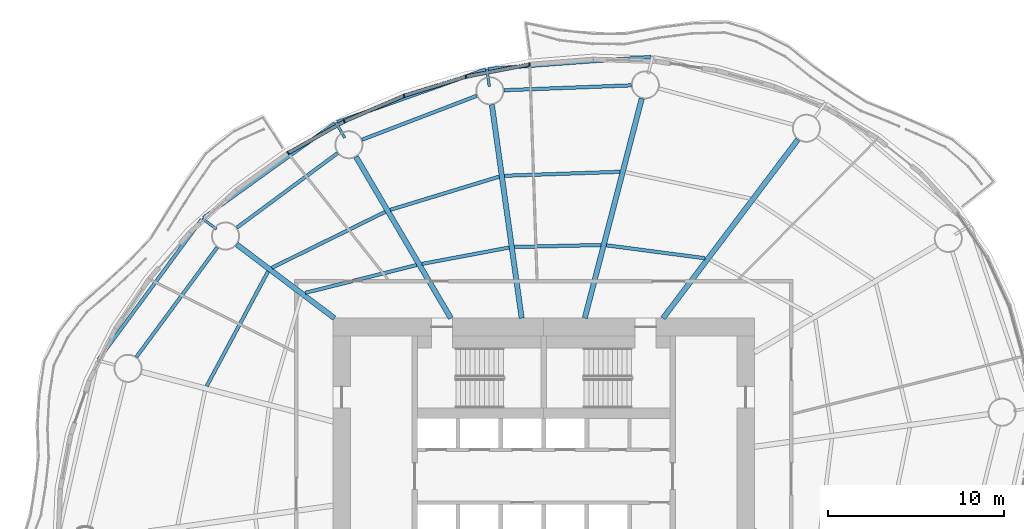
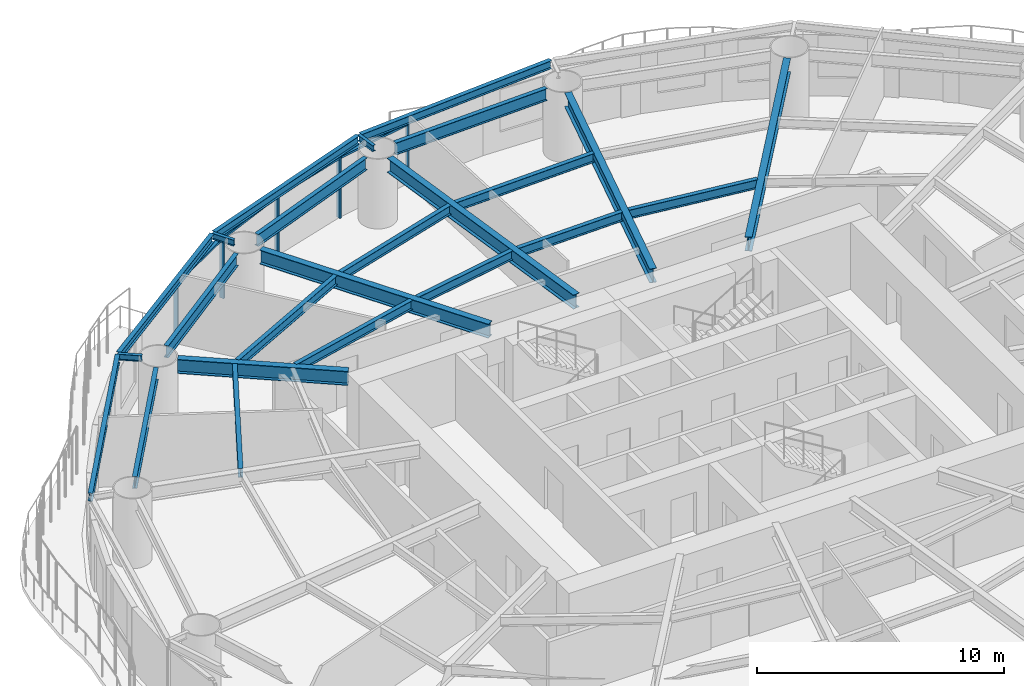
# One storey, part 5 of 16: 24 beams, 9 members, 4 elements without a shape of their own.
"""IFC4 building model written with IfcOpenShell, lengths in metres."""

from ifc_helpers import new_model, si_unit, direction, frame, origin, origin_2d, place, context, subcontext, project, spatial, rectangle, i_section, extrude, material, material_profile, profile_set, type_object, element, aggregate, save


model = new_model("IFC4")

# Units and contexts
model_context = context("Model", 3, precision=1e-05, world=origin(), true_north=direction((0.0, 1.0)))
body_context = subcontext(model_context, "Body", "Model", "MODEL_VIEW")
ifc_project = project(units=[si_unit("LENGTHUNIT", "METRE"), si_unit("AREAUNIT", "SQUARE_METRE"), si_unit("VOLUMEUNIT", "CUBIC_METRE"), si_unit("PLANEANGLEUNIT", "RADIAN"), si_unit("MASSUNIT", "GRAM", prefix="KILO")], contexts=[model_context])

# Site, building, storey
site_placement = place(None, origin())
site = spatial("IfcSite", under=ifc_project, at=site_placement, CompositionType="ELEMENT")
building_placement = place(site_placement, origin())
building = spatial("IfcBuilding", under=site, at=building_placement, Name="Vermilion Reach Broadcast Tower", CompositionType="ELEMENT")
storey_placement = place(building_placement, frame((0.0, 0.0, 113.800048828125)))
storey = spatial("IfcBuildingStorey", under=building, at=storey_placement, Name="L26", CompositionType="ELEMENT", Elevation=113.800048828125)

# Beams
ifc_material_1 = material(Name="Steel S355J2", Category="steel")
ifc_material_profile_1 = material_profile(ifc_material_1, i_section(OverallWidth=0.199951171875, OverallDepth=0.39990234375, WebThickness=0.008056640625, FlangeThickness=0.012939453125, at=origin_2d()), Name="S355J2 HN 400x200x8x13")
ifc_profile_set_1 = profile_set([ifc_material_profile_1], Name="Steel S355J2")
beam_type_1 = type_object("IfcBeamType", Name="EB2 HN 400x200x8x13", PredefinedType="BEAM", material=ifc_profile_set_1)
beam_1_placement = place(storey_placement, frame((0.12109375, 23.882080078125, 3.25), z_axis=(-0.997304691422, -0.073371332736, 0.0), x_axis=(0.073371332736, -0.997304691422, 0.0)))
element("IfcBeam", 1, at=beam_1_placement, inside=storey, type_object=beam_type_1, Name="Edge beam EB2-03", PredefinedType="BEAM", context=body_context, shape_type="SweptSolid", body=[
    extrude(i_section(OverallWidth=0.199951171875, OverallDepth=0.39990234375, WebThickness=0.008056640625, FlangeThickness=0.012939453125, at=origin_2d()), origin(), (0.0, 0.0, 1.0), 9.310302734375),
])
beam_2_placement = place(storey_placement, frame((-9.31103515625, 23.167724609375, 3.25), z_axis=(-0.942430511192, -0.334402050793, 0.0), x_axis=(0.334402050793, -0.942430511192, 0.0)))
element("IfcBeam", 2, at=beam_2_placement, inside=storey, type_object=beam_type_1, Name="Edge beam EB2-04", PredefinedType="BEAM", context=body_context, shape_type="SweptSolid", body=[
    extrude(i_section(OverallWidth=0.199951171875, OverallDepth=0.39990234375, WebThickness=0.008056640625, FlangeThickness=0.012939453125, at=origin_2d()), origin(), (0.0, 0.0, 1.0), 8.97412109375),
])
beam_3_placement = place(storey_placement, frame((-17.901611328125, 20.097412109375, 3.25), z_axis=(-0.81207308866, -0.583555737419, 0.0), x_axis=(0.583555737419, -0.81207308866, 0.0)))
element("IfcBeam", 3, at=beam_3_placement, inside=storey, type_object=beam_type_1, Name="Edge beam EB2-05", PredefinedType="BEAM", context=body_context, shape_type="SweptSolid", body=[
    extrude(i_section(OverallWidth=0.199951171875, OverallDepth=0.39990234375, WebThickness=0.008056640625, FlangeThickness=0.012939453125, at=origin_2d()), origin(), (0.0, 0.0, 1.0), 9.208251953125),
])
beam_4_placement = place(storey_placement, frame((-25.487548828125, 14.61767578125, 3.25), z_axis=(-0.593410406977, -0.804900049007, 0.0), x_axis=(0.804900049007, -0.593410406977, 0.0)))
element("IfcBeam", 4, at=beam_4_placement, inside=storey, type_object=beam_type_1, Name="Edge beam EB2-06", PredefinedType="BEAM", context=body_context, shape_type="SweptSolid", body=[
    extrude(i_section(OverallWidth=0.199951171875, OverallDepth=0.39990234375, WebThickness=0.008056640625, FlangeThickness=0.012939453125, at=origin_2d()), origin(), (0.0, 0.0, 1.0), 9.888427734375),
])
ifc_material_2 = material(Name="Steel S355J2", Category="steel")
ifc_material_profile_2 = material_profile(ifc_material_2, i_section(OverallWidth=0.300048828125, OverallDepth=0.699951171875, WebThickness=0.012939453125, FlangeThickness=0.02392578125, at=origin_2d()), Name="S355J2 HN 700x300x13x24")
ifc_profile_set_2 = profile_set([ifc_material_profile_2], Name="Steel S355J2")
beam_type_2 = type_object("IfcBeamType", Name="G2 HN 700x300x13x24", PredefinedType="BEAM", material=ifc_profile_set_2)
beam_5_placement = place(storey_placement, frame((0.794189453125, 9.0, 3.099853515625), z_axis=(0.602519842365, 0.798103902733, 0.0), x_axis=(-0.798103902733, 0.602519842365, 0.0)))
element("IfcBeam", 5, at=beam_5_placement, inside=storey, type_object=beam_type_2, Name="Girder G2-02", PredefinedType="BEAM", context=body_context, shape_type="SweptSolid", body=[
    extrude(i_section(OverallWidth=0.300048828125, OverallDepth=0.699951171875, WebThickness=0.012939453125, FlangeThickness=0.02392578125, at=origin_2d()), origin(), (0.0, 0.0, 1.0), 12.758544921875),
])
beam_6_placement = place(storey_placement, frame((-3.6640625, 9.0, 3.099853515625), z_axis=(0.25121695316, 0.967930804575, 0.0), x_axis=(-0.967930804575, 0.25121695316, 0.0)))
element("IfcBeam", 6, at=beam_6_placement, inside=storey, type_object=beam_type_2, Name="Girder G2-03", PredefinedType="BEAM", context=body_context, shape_type="SweptSolid", body=[
    extrude(i_section(OverallWidth=0.300048828125, OverallDepth=0.699951171875, WebThickness=0.012939453125, FlangeThickness=0.02392578125, at=origin_2d()), origin(), (0.0, 0.0, 1.0), 12.93505859375),
])
beam_7_placement = place(storey_placement, frame((-7.2568359375, 9.0, 3.099853515625), z_axis=(-0.138317561234, 0.990387930184, 0.0), x_axis=(-0.990387930184, -0.138317561234, 0.0)))
element("IfcBeam", 7, at=beam_7_placement, inside=storey, type_object=beam_type_2, Name="Girder G2-04", PredefinedType="BEAM", context=body_context, shape_type="SweptSolid", body=[
    extrude(i_section(OverallWidth=0.300048828125, OverallDepth=0.699951171875, WebThickness=0.012939453125, FlangeThickness=0.02392578125, at=origin_2d()), origin(), (0.0, 0.0, 1.0), 12.281494140625),
])
beam_8_placement = place(storey_placement, frame((-11.290771484375, 9.0, 3.099853515625), z_axis=(-0.506783943634, 0.862073102744, 0.0), x_axis=(-0.862073102744, -0.506783943634, 0.0)))
element("IfcBeam", 8, at=beam_8_placement, inside=storey, type_object=beam_type_2, Name="Girder G2-05", PredefinedType="BEAM", context=body_context, shape_type="SweptSolid", body=[
    extrude(i_section(OverallWidth=0.300048828125, OverallDepth=0.699951171875, WebThickness=0.012939453125, FlangeThickness=0.02392578125, at=origin_2d()), origin(), (0.0, 0.0, 1.0), 10.661865234375),
])
beam_9_placement = place(storey_placement, frame((-17.921630859375, 9.0, 3.099853515625), z_axis=(-0.798113534072, 0.602507084382, 0.0), x_axis=(-0.602507084382, -0.798113534072, 0.0)))
element("IfcBeam", 9, at=beam_9_placement, inside=storey, type_object=beam_type_2, Name="Girder G2-06", PredefinedType="BEAM", context=body_context, shape_type="SweptSolid", body=[
    extrude(i_section(OverallWidth=0.300048828125, OverallDepth=0.699951171875, WebThickness=0.012939453125, FlangeThickness=0.02392578125, at=origin_2d()), origin(), (0.0, 0.0, 1.0), 6.971923828125),
])
ifc_material_3 = material(Name="Steel S355J2", Category="steel")
ifc_material_profile_3 = material_profile(ifc_material_3, i_section(OverallWidth=0.14990234375, OverallDepth=0.300048828125, WebThickness=0.006591796875, FlangeThickness=0.009033203125, at=origin_2d()), Name="S355J2 HN 300x150x6.5x9")
ifc_profile_set_3 = profile_set([ifc_material_profile_3], Name="Steel S355J2")
beam_type_3 = type_object("IfcBeamType", Name="GS2 HN 300x150x6.5x9", PredefinedType="BEAM", material=ifc_profile_set_3)
for number, where, z_axis, x_axis, name in (
    (10, (-9.1005859375, 22.202880859375, 3.300048828125), (-0.138413206764, 0.990374567622, 0.0), (-0.990374567622, -0.138413206764, 0.0), "Cantilever stub GS2-04"),
    (11, (-17.333740234375, 19.279296875, 3.300048828125), (-0.506828068037, 0.862047161964, 0.0), (-0.862047161964, -0.506828068037, 0.0), "Cantilever stub GS2-05"),
    (12, (-24.64501953125, 14.075439453125, 3.300048828125), (-0.798091683473, 0.602536027779, 0.0), (-0.602536027779, -0.798091683473, 0.0), "Cantilever stub GS2-06"),
):
    element("IfcBeam", number, at=place(storey_placement, frame(where, z_axis=z_axis, x_axis=x_axis)), inside=storey, type_object=beam_type_3, Name=name, PredefinedType="BEAM", context=body_context, shape_type="SweptSolid", body=[
        extrude(i_section(OverallWidth=0.14990234375, OverallDepth=0.300048828125, WebThickness=0.006591796875, FlangeThickness=0.009033203125, at=origin_2d()), origin(), (0.0, 0.0, 1.0), 1.0),
    ])
ifc_material_4 = material(Name="Steel S355J2", Category="steel")
ifc_material_profile_4 = material_profile(ifc_material_4, i_section(OverallWidth=0.199951171875, OverallDepth=0.60009765625, WebThickness=0.010986328125, FlangeThickness=0.01708984375, at=origin_2d()), Name="S355J2 HN 600x200x11x17")
ifc_profile_set_4 = profile_set([ifc_material_profile_4], Name="Steel S355J2")
beam_type_4 = type_object("IfcBeamType", Name="RB2 HN 600x200x11x17", PredefinedType="BEAM", material=ifc_profile_set_4)
beam_10_placement = place(storey_placement, frame((-1.012939453125, 22.263916015625, 3.14990234375), z_axis=(-0.999268558327, -0.038240663418, 0.0), x_axis=(0.038240663418, -0.999268558327, 0.0)))
element("IfcBeam", 13, at=beam_10_placement, inside=storey, type_object=beam_type_4, Name="Ring beam RB2-03", PredefinedType="BEAM", context=body_context, shape_type="SweptSolid", body=[
    extrude(i_section(OverallWidth=0.199951171875, OverallDepth=0.60009765625, WebThickness=0.010986328125, FlangeThickness=0.01708984375, at=origin_2d()), origin(), (0.0, 0.0, 1.0), 7.259033203125),
])
beam_11_placement = place(storey_placement, frame((-9.813232421875, 21.669677734375, 3.14990234375), z_axis=(-0.933939237212, -0.357431813353, 0.0), x_axis=(0.357431813353, -0.933939237212, 0.0)))
element("IfcBeam", 14, at=beam_11_placement, inside=storey, type_object=beam_type_4, Name="Ring beam RB2-04", PredefinedType="BEAM", context=body_context, shape_type="SweptSolid", body=[
    extrude(i_section(OverallWidth=0.199951171875, OverallDepth=0.60009765625, WebThickness=0.010986328125, FlangeThickness=0.01708984375, at=origin_2d()), origin(), (0.0, 0.0, 1.0), 7.001953125),
])
beam_12_placement = place(storey_placement, frame((-17.74267578125, 18.4052734375, 3.14990234375), z_axis=(-0.803832742218, -0.594855379515, 0.0), x_axis=(0.594855379515, -0.803832742218, 0.0)))
element("IfcBeam", 15, at=beam_12_placement, inside=storey, type_object=beam_type_4, Name="Ring beam RB2-05", PredefinedType="BEAM", context=body_context, shape_type="SweptSolid", body=[
    extrude(i_section(OverallWidth=0.199951171875, OverallDepth=0.60009765625, WebThickness=0.010986328125, FlangeThickness=0.01708984375, at=origin_2d()), origin(), (0.0, 0.0, 1.0), 7.13916015625),
])
beam_13_placement = place(storey_placement, frame((-24.59912109375, 13.03857421875, 3.14990234375), z_axis=(-0.593250534798, -0.80501788984, 0.0), x_axis=(0.80501788984, -0.593250534798, 0.0)))
element("IfcBeam", 16, at=beam_13_placement, inside=storey, type_object=beam_type_4, Name="Ring beam RB2-06", PredefinedType="BEAM", context=body_context, shape_type="SweptSolid", body=[
    extrude(i_section(OverallWidth=0.199951171875, OverallDepth=0.60009765625, WebThickness=0.010986328125, FlangeThickness=0.01708984375, at=origin_2d()), origin(), (0.0, 0.0, 1.0), 7.76220703125),
])
ifc_material_5 = material(Name="Steel S355J2", Category="steel")
ifc_material_profile_5 = material_profile(ifc_material_5, i_section(OverallWidth=0.199951171875, OverallDepth=0.449951171875, WebThickness=0.009033203125, FlangeThickness=0.013916015625, at=origin_2d()), Name="S355J2 HN 450x200x9x14")
ifc_profile_set_5 = profile_set([ifc_material_profile_5], Name="Steel S355J2")
beam_type_5 = type_object("IfcBeamType", Name="SB2 HN 450x200x9x14", PredefinedType="BEAM", material=ifc_profile_set_5)
beam_14_placement = place(storey_placement, frame((3.185546875, 12.416748046875, 3.224853515625), z_axis=(-0.991498686864, 0.130116693573, 0.0), x_axis=(-0.130116693573, -0.991498686864, 0.0)))
element("IfcBeam", 17, at=beam_14_placement, inside=storey, type_object=beam_type_5, Name="Secondary beam SB2-02-1", PredefinedType="BEAM", context=body_context, shape_type="SweptSolid", body=[
    extrude(i_section(OverallWidth=0.199951171875, OverallDepth=0.449951171875, WebThickness=0.009033203125, FlangeThickness=0.013916015625, at=origin_2d()), origin(), (0.0, 0.0, 1.0), 5.66455078125),
])
beam_15_placement = place(storey_placement, frame((-2.73681640625, 13.169921875, 3.224853515625), z_axis=(-0.999742320425, -0.022700060602, 0.0), x_axis=(0.022700060602, -0.999742320425, 0.0)))
element("IfcBeam", 18, at=beam_15_placement, inside=storey, type_object=beam_type_5, Name="Secondary beam SB2-03-1", PredefinedType="BEAM", context=body_context, shape_type="SweptSolid", body=[
    extrude(i_section(OverallWidth=0.199951171875, OverallDepth=0.449951171875, WebThickness=0.009033203125, FlangeThickness=0.013916015625, at=origin_2d()), origin(), (0.0, 0.0, 1.0), 4.9365234375),
])
beam_16_placement = place(storey_placement, frame((-1.654052734375, 17.34130859375, 3.224853515625), z_axis=(-0.999404722387, -0.03449928797, 0.0), x_axis=(0.03449928797, -0.999404722387, 0.0)))
element("IfcBeam", 19, at=beam_16_placement, inside=storey, type_object=beam_type_5, Name="Secondary beam SB2-03-2", PredefinedType="BEAM", context=body_context, shape_type="SweptSolid", body=[
    extrude(i_section(OverallWidth=0.199951171875, OverallDepth=0.449951171875, WebThickness=0.009033203125, FlangeThickness=0.013916015625, at=origin_2d()), origin(), (0.0, 0.0, 1.0), 6.58837890625),
])
beam_17_placement = place(storey_placement, frame((-7.970703125, 13.026611328125, 3.224853515625), z_axis=(-0.982782890015, -0.184764149915, 0.0), x_axis=(0.184764149915, -0.982782890015, 0.0)))
element("IfcBeam", 20, at=beam_17_placement, inside=storey, type_object=beam_type_5, Name="Secondary beam SB2-04-1", PredefinedType="BEAM", context=body_context, shape_type="SweptSolid", body=[
    extrude(i_section(OverallWidth=0.199951171875, OverallDepth=0.449951171875, WebThickness=0.009033203125, FlangeThickness=0.013916015625, at=origin_2d()), origin(), (0.0, 0.0, 1.0), 5.051513671875),
])
beam_18_placement = place(storey_placement, frame((-8.53466796875, 17.064697265625, 3.224853515625), z_axis=(-0.956596430605, -0.291415972374, 0.0), x_axis=(0.291415972374, -0.956596430605, 0.0)))
element("IfcBeam", 21, at=beam_18_placement, inside=storey, type_object=beam_type_5, Name="Secondary beam SB2-04-2", PredefinedType="BEAM", context=body_context, shape_type="SweptSolid", body=[
    extrude(i_section(OverallWidth=0.199951171875, OverallDepth=0.449951171875, WebThickness=0.009033203125, FlangeThickness=0.013916015625, at=origin_2d()), origin(), (0.0, 0.0, 1.0), 6.49267578125),
])
beam_19_placement = place(storey_placement, frame((-13.24365234375, 12.026123046875, 3.224853515625), z_axis=(-0.970396717612, -0.241516480695, 0.0), x_axis=(0.241516480695, -0.970396717612, 0.0)))
element("IfcBeam", 22, at=beam_19_placement, inside=storey, type_object=beam_type_5, Name="Secondary beam SB2-05-1", PredefinedType="BEAM", context=body_context, shape_type="SweptSolid", body=[
    extrude(i_section(OverallWidth=0.199951171875, OverallDepth=0.449951171875, WebThickness=0.009033203125, FlangeThickness=0.013916015625, at=origin_2d()), origin(), (0.0, 0.0, 1.0), 6.539306640625),
])
beam_20_placement = place(storey_placement, frame((-15.02783203125, 15.06103515625, 3.224853515625), z_axis=(-0.896648255868, -0.442743611189, 0.0), x_axis=(0.442743611189, -0.896648255868, 0.0)))
element("IfcBeam", 23, at=beam_20_placement, inside=storey, type_object=beam_type_5, Name="Secondary beam SB2-05-2", PredefinedType="BEAM", context=body_context, shape_type="SweptSolid", body=[
    extrude(i_section(OverallWidth=0.199951171875, OverallDepth=0.449951171875, WebThickness=0.009033203125, FlangeThickness=0.013916015625, at=origin_2d()), origin(), (0.0, 0.0, 1.0), 7.19677734375),
])
beam_21_placement = place(storey_placement, frame((-21.702880859375, 11.66650390625, 3.224853515625), z_axis=(-0.471821551693, -0.881694064491, 0.0), x_axis=(0.881694064491, -0.471821551693, 0.0)))
element("IfcBeam", 24, at=beam_21_placement, inside=storey, type_object=beam_type_5, Name="Secondary beam SB2-06-2", PredefinedType="BEAM", context=body_context, shape_type="SweptSolid", body=[
    extrude(i_section(OverallWidth=0.199951171875, OverallDepth=0.449951171875, WebThickness=0.009033203125, FlangeThickness=0.013916015625, at=origin_2d()), origin(), (0.0, 0.0, 1.0), 7.405029296875),
])

# Curtain wall, member
ifc_material_6 = material(Name="Low-e laminated clear glass in aluminium frame", Category="aluminium")
curtain_wall_type = type_object("IfcCurtainWallType", Name="Slot curtain wall", PredefinedType="NOTDEFINED", material=ifc_material_6)
placement = place(storey_placement, origin())
curtain_wall_1 = element("IfcCurtainWall", 25, at=placement, inside=storey, type_object=curtain_wall_type, Name="Slot curtain wall L26 10", PredefinedType="NOTDEFINED")
ifc_material_7 = material(Name="Anodised aluminium", Category="aluminium")
ifc_material_profile_6 = material_profile(ifc_material_7, rectangle(XDim=0.199951171875, YDim=0.080078125, at=origin_2d()), Name="Slot mullion 80 x 200")
ifc_profile_set_6 = profile_set([ifc_material_profile_6], Name="Anodised aluminium")
member_type_1 = type_object("IfcMemberType", Name="Slot mullion 80 x 200", PredefinedType="MULLION", material=ifc_profile_set_6)
member_1_placement = place(storey_placement, frame((-6.810791015625, 23.454833984375, 0.0), z_axis=(0.0, 0.0, 1.0), x_axis=(0.135006643568, -0.990844693276, 0.0)))
member_1 = element("IfcMember", 26, at=member_1_placement, type_object=member_type_1, Name="Slot mullion L26 10", PredefinedType="MULLION", context=body_context, shape_type="SweptSolid", body=[
    extrude(rectangle(XDim=0.199951171875, YDim=0.080078125, at=origin_2d()), origin(), (0.0, 0.0, 1.0), 3.050048828125),
])

curtain_wall_2 = element("IfcCurtainWall", 27, at=placement, inside=storey, type_object=curtain_wall_type, Name="Slot curtain wall L26 11", PredefinedType="NOTDEFINED")
member_2_placement = place(storey_placement, frame((-10.421630859375, 22.75927734375, 0.0), z_axis=(0.0, 0.0, 1.0), x_axis=(0.241821324597, -0.970320795907, 0.0)))
member_2 = element("IfcMember", 28, at=member_2_placement, type_object=member_type_1, Name="Slot mullion L26 11", PredefinedType="MULLION", context=body_context, shape_type="SweptSolid", body=[
    extrude(rectangle(XDim=0.199951171875, YDim=0.080078125, at=origin_2d()), origin(), (0.0, 0.0, 1.0), 3.050048828125),
])

curtain_wall_3 = element("IfcCurtainWall", 29, at=placement, inside=storey, type_object=curtain_wall_type, Name="Slot curtain wall L26 12", PredefinedType="NOTDEFINED")
member_3_placement = place(storey_placement, frame((-13.956787109375, 21.672607421875, 0.0), z_axis=(0.0, 0.0, 1.0), x_axis=(0.344642931874, -0.93873385446, 0.0)))
member_3 = element("IfcMember", 30, at=member_3_placement, type_object=member_type_1, Name="Slot mullion L26 12", PredefinedType="MULLION", context=body_context, shape_type="SweptSolid", body=[
    extrude(rectangle(XDim=0.199951171875, YDim=0.080078125, at=origin_2d()), origin(), (0.0, 0.0, 1.0), 3.050048828125),
])

# Curtain wall, members
curtain_wall_4 = element("IfcCurtainWall", 31, at=placement, inside=storey, type_object=curtain_wall_type, Name="Slot curtain wall L26 13", PredefinedType="NOTDEFINED")
member_4_placement = place(storey_placement, frame((-17.355224609375, 20.213623046875, 0.0), z_axis=(0.0, 0.0, 1.0), x_axis=(0.443476956027, -0.896285774445, 0.0)))
member_4 = element("IfcMember", 32, at=member_4_placement, type_object=member_type_1, Name="Slot mullion L26 13", PredefinedType="MULLION", context=body_context, shape_type="SweptSolid", body=[
    extrude(rectangle(XDim=0.199951171875, YDim=0.080078125, at=origin_2d()), origin(), (0.0, 0.0, 1.0), 3.050048828125),
])
member_5_placement = place(storey_placement, frame((-20.558349609375, 18.407470703125, 0.0), z_axis=(0.0, 0.0, 1.0), x_axis=(0.538197187514, -0.842818952891, 0.0)))
member_5 = element("IfcMember", 33, at=member_5_placement, type_object=member_type_1, Name="Slot mullion L26 14", PredefinedType="MULLION", context=body_context, shape_type="SweptSolid", body=[
    extrude(rectangle(XDim=0.199951171875, YDim=0.080078125, at=origin_2d()), origin(), (0.0, 0.0, 1.0), 3.050048828125),
])

# Member
ifc_material_8 = material(Name="Anodised aluminium", Category="aluminium")
ifc_material_profile_7 = material_profile(ifc_material_8, rectangle(XDim=0.199951171875, YDim=0.10009765625, at=origin_2d()), Name="Slot transom 200 x 100")
ifc_profile_set_7 = profile_set([ifc_material_profile_7], Name="Anodised aluminium")
member_type_2 = type_object("IfcMemberType", Name="Slot transom 200 x 100", PredefinedType="USERDEFINED", material=ifc_profile_set_7)
member_6_placement = place(storey_placement, frame((-6.85009765625, 23.447265625, 3.0), z_axis=(-0.98194733922, -0.189154495052, 0.0), x_axis=(0.189154495052, -0.98194733922, 0.0)))
member_6 = element("IfcMember", 34, at=member_6_placement, type_object=member_type_2, Name="Slot transom L26 10.1", ObjectType="TRANSOM", PredefinedType="USERDEFINED", context=body_context, shape_type="SweptSolid", body=[
    extrude(rectangle(XDim=0.199951171875, YDim=0.10009765625, at=origin_2d()), origin(), (0.0, 0.0, 1.0), 3.59716796875),
])

aggregate(curtain_wall_1, [member_1, member_6])

member_7_placement = place(storey_placement, frame((-10.4599609375, 22.74755859375, 3.0), z_axis=(-0.955875241805, -0.293772909072, 0.0), x_axis=(0.293772909072, -0.955875241805, 0.0)))
member_7 = element("IfcMember", 35, at=member_7_placement, type_object=member_type_2, Name="Slot transom L26 11.1", ObjectType="TRANSOM", PredefinedType="USERDEFINED", context=body_context, shape_type="SweptSolid", body=[
    extrude(rectangle(XDim=0.199951171875, YDim=0.10009765625, at=origin_2d()), origin(), (0.0, 0.0, 1.0), 3.618408203125),
])

aggregate(curtain_wall_2, [member_2, member_7])

member_8_placement = place(storey_placement, frame((-13.99365234375, 21.656982421875, 3.0), z_axis=(-0.918893570066, -0.394505522004, 0.0), x_axis=(0.394505522004, -0.918893570066, 0.0)))
member_8 = element("IfcMember", 36, at=member_8_placement, type_object=member_type_2, Name="Slot transom L26 12.1", ObjectType="TRANSOM", PredefinedType="USERDEFINED", context=body_context, shape_type="SweptSolid", body=[
    extrude(rectangle(XDim=0.199951171875, YDim=0.10009765625, at=origin_2d()), origin(), (0.0, 0.0, 1.0), 3.618408203125),
])

aggregate(curtain_wall_3, [member_3, member_8])

member_9_placement = place(storey_placement, frame((-17.39013671875, 20.194091796875, 3.0), z_axis=(-0.87105665225, -0.491182561347, 0.0), x_axis=(0.491182561347, -0.87105665225, 0.0)))
member_9 = element("IfcMember", 37, at=member_9_placement, type_object=member_type_2, Name="Slot transom L26 13.1", ObjectType="TRANSOM", PredefinedType="USERDEFINED", context=body_context, shape_type="SweptSolid", body=[
    extrude(rectangle(XDim=0.199951171875, YDim=0.10009765625, at=origin_2d()), origin(), (0.0, 0.0, 1.0), 3.59716796875),
])

aggregate(curtain_wall_4, [member_4, member_5, member_9])

save(model, "model.ifc")
